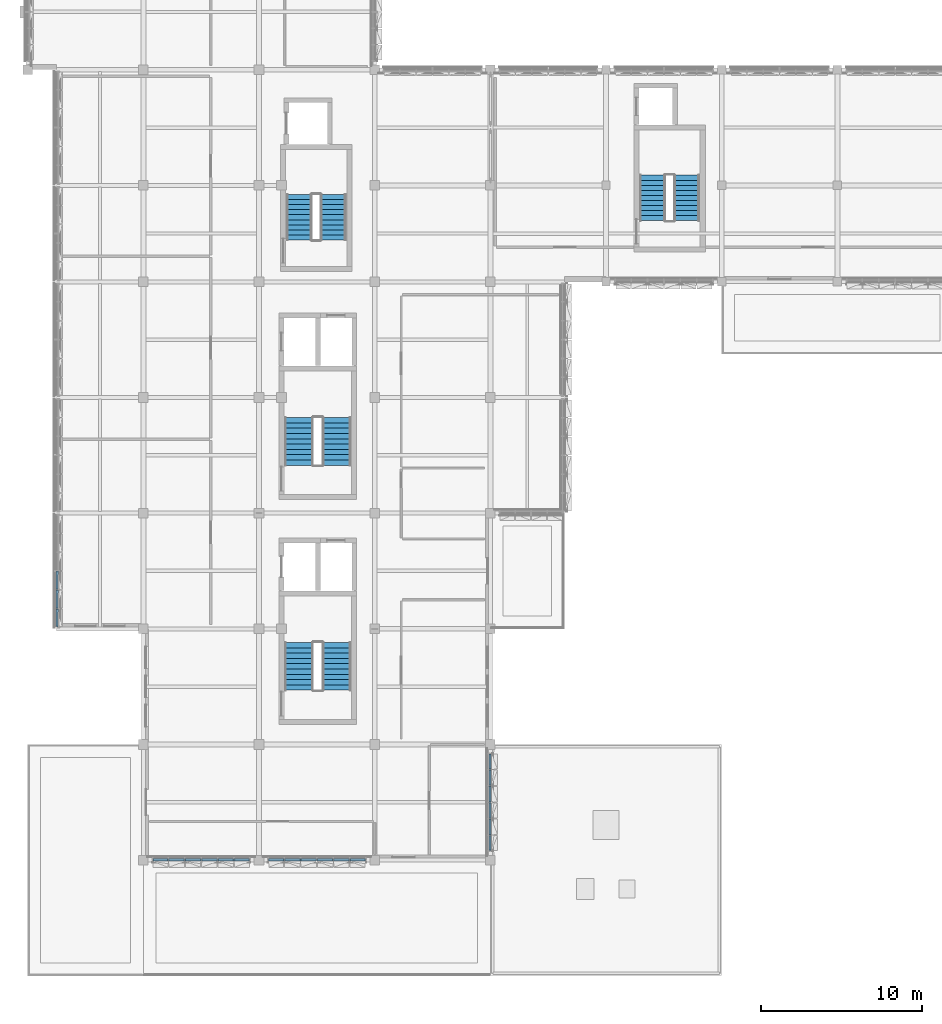
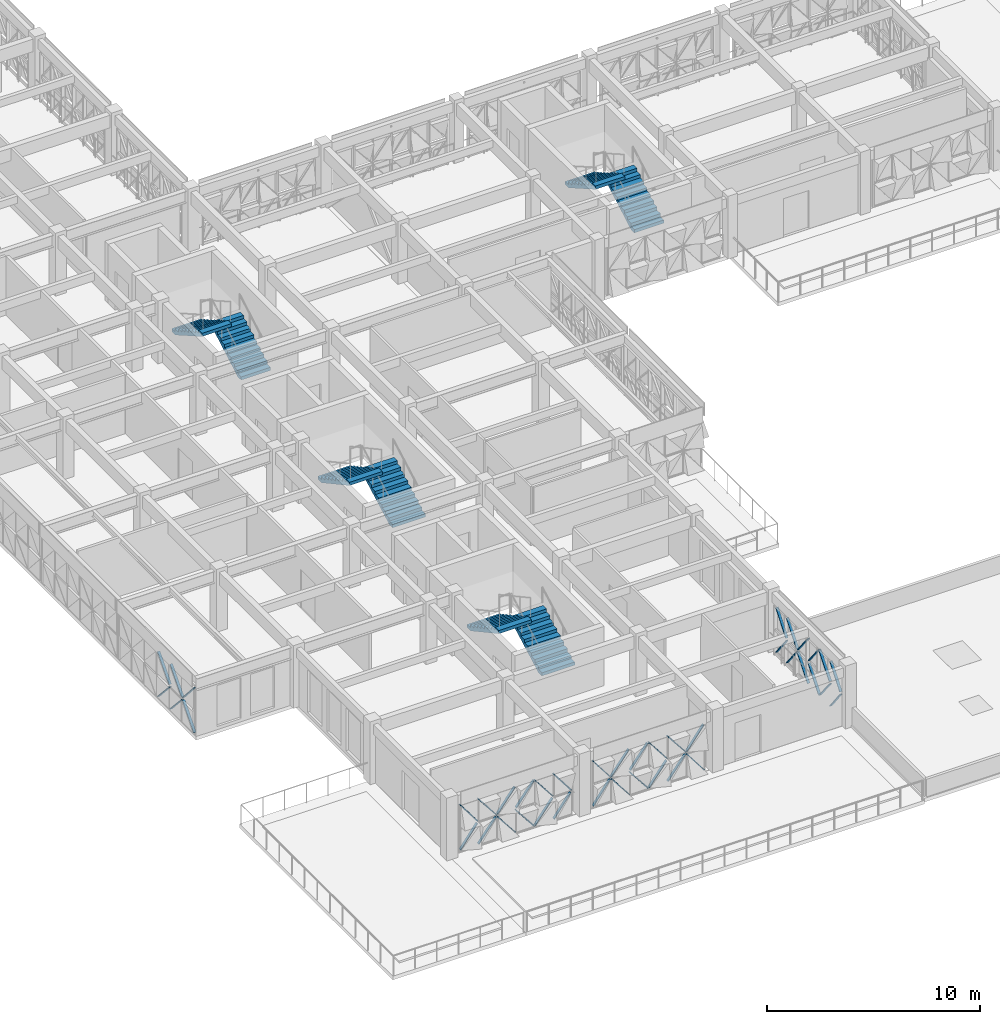
# One storey, part 44 of 74: 42 discrete accessories, 8 stair flights, 4 elements without a shape of their own.
"""IFC4 building model written with IfcOpenShell, lengths in metres."""

from ifc_helpers import new_model, si_unit, direction, frame, origin, origin_2d, place, context, subcontext, project, spatial, polyline, rectangle, outline, extrude, material, type_object, element, aggregate, save


model = new_model("IFC4")

# Units and contexts
model_context = context("Model", 3, precision=1e-05, world=origin(), true_north=direction((0.0, 1.0)))
body_context = subcontext(model_context, "Body", "Model", "MODEL_VIEW")
ifc_project = project(units=[si_unit("LENGTHUNIT", "METRE"), si_unit("AREAUNIT", "SQUARE_METRE"), si_unit("VOLUMEUNIT", "CUBIC_METRE"), si_unit("PLANEANGLEUNIT", "RADIAN"), si_unit("MASSUNIT", "GRAM", prefix="KILO")], contexts=[model_context])

# Site, building, storey
site_placement = place(None, origin())
site = spatial("IfcSite", under=ifc_project, at=site_placement, CompositionType="ELEMENT")
building_placement = place(site_placement, origin())
building = spatial("IfcBuilding", under=site, at=building_placement, Name="Alvorim Cloister Faculty of Sciences", CompositionType="ELEMENT")
storey_placement = place(building_placement, frame((0.0, 0.0, 15.75)))
storey = spatial("IfcBuildingStorey", under=building, at=storey_placement, Name="L04", CompositionType="ELEMENT", Elevation=15.75)

# Stair, stair flights
ifc_material_1 = material(Name="Concrete C40", Category="concrete")
stair_type_1 = type_object("IfcStairType", Name="STR-ST-01-1780x3600", PredefinedType="HALF_TURN_STAIR", material=ifc_material_1)
stair_1_placement = place(storey_placement, origin())
stair_1 = element("IfcStair", 1, at=stair_1_placement, inside=storey, type_object=stair_type_1, Name="L04 Enclosed Smoke-Proof Stair ST-01", PredefinedType="HALF_TURN_STAIR")
stair_flight_type_1 = type_object("IfcStairFlightType", Name="FLT-ST-01-1780x1800", PredefinedType="STRAIGHT", material=ifc_material_1)
stair_flight_1_placement = place(storey_placement, frame((19.22998046875, 17.780029296875, 0.0), z_axis=(0.0, 0.0, 1.0), x_axis=(0.0, 1.0, 0.0)))
stair_flight_1 = element("IfcStairFlight", 2, at=stair_flight_1_placement, type_object=stair_flight_type_1, Name="ST-01 flight 1", NumberOfRisers=10, NumberOfTreads=9, PredefinedType="STRAIGHT", RiserHeight=0.18, TreadLength=0.33, context=body_context, shape_type="SweptSolid", body=[
    extrude(outline(polyline([(0.333984375, 0.0), (2.969970703125, 1.437744140625), (2.969970703125, 1.800048828125), (2.969970703125, 1.6201171875), (2.639892578125, 1.6201171875), (2.639892578125, 1.43994140625), (2.31005859375, 1.43994140625), (2.31005859375, 1.260009765625), (1.97998046875, 1.260009765625), (1.97998046875, 1.080078125), (1.64990234375, 1.080078125), (1.64990234375, 0.89990234375), (1.320068359375, 0.89990234375), (1.320068359375, 0.719970703125), (0.989990234375, 0.719970703125), (0.989990234375, 0.5400390625), (0.659912109375, 0.5400390625), (0.659912109375, 0.360107421875), (0.330078125, 0.360107421875), (0.330078125, 0.179931640625), (0.0, 0.179931640625), (0.0, 0.0), (0.333984375, 0.0)])), frame((0.0, 0.89013671875, 0.0), z_axis=(0.0, -1.0, 0.0), x_axis=(1.0, 0.0, 0.0)), (0.0, 0.0, 1.0), 1.780029296875),
])
stair_flight_2_placement = place(storey_placement, frame((16.889892578125, 20.75, 1.800048828125), z_axis=(0.0, 0.0, 1.0), x_axis=(0.0, -1.0, 0.0)))
stair_flight_2 = element("IfcStairFlight", 3, at=stair_flight_2_placement, type_object=stair_flight_type_1, Name="ST-01 flight 2", NumberOfRisers=10, NumberOfTreads=9, PredefinedType="STRAIGHT", RiserHeight=0.18, TreadLength=0.33, context=body_context, shape_type="SweptSolid", body=[
    extrude(outline(polyline([(0.333984375, 0.0), (2.969970703125, 1.437744140625), (2.969970703125, 1.800048828125), (2.969970703125, 1.6201171875), (2.639892578125, 1.6201171875), (2.639892578125, 1.43994140625), (2.31005859375, 1.43994140625), (2.31005859375, 1.260009765625), (1.97998046875, 1.260009765625), (1.97998046875, 1.080078125), (1.64990234375, 1.080078125), (1.64990234375, 0.89990234375), (1.320068359375, 0.89990234375), (1.320068359375, 0.719970703125), (0.989990234375, 0.719970703125), (0.989990234375, 0.5400390625), (0.659912109375, 0.5400390625), (0.659912109375, 0.360107421875), (0.330078125, 0.360107421875), (0.330078125, 0.179931640625), (0.0, 0.179931640625), (0.0, 0.0), (0.333984375, 0.0)])), frame((0.0, 0.89013671875, 0.0), z_axis=(0.0, -1.0, 0.0), x_axis=(1.0, 0.0, 0.0)), (0.0, 0.0, 1.0), 1.780029296875),
])
aggregate(stair_1, [stair_flight_1, stair_flight_2])

stair_type_2 = type_object("IfcStairType", Name="STR-ST-02-1780x3600", PredefinedType="HALF_TURN_STAIR", material=ifc_material_1)
stair_2_placement = place(storey_placement, origin())
stair_2 = element("IfcStair", 4, at=stair_2_placement, inside=storey, type_object=stair_type_2, Name="L04 Enclosed Smoke-Proof Stair ST-02", PredefinedType="HALF_TURN_STAIR")
stair_flight_type_2 = type_object("IfcStairFlightType", Name="FLT-ST-02-1780x1800", PredefinedType="STRAIGHT", material=ifc_material_1)
stair_flight_3_placement = place(storey_placement, frame((19.22998046875, 31.780029296875, 0.0), z_axis=(0.0, 0.0, 1.0), x_axis=(0.0, 1.0, 0.0)))
stair_flight_3 = element("IfcStairFlight", 5, at=stair_flight_3_placement, type_object=stair_flight_type_2, Name="ST-02 flight 1", NumberOfRisers=10, NumberOfTreads=9, PredefinedType="STRAIGHT", RiserHeight=0.18, TreadLength=0.33, context=body_context, shape_type="SweptSolid", body=[
    extrude(outline(polyline([(0.333984375, 0.0), (2.969970703125, 1.437744140625), (2.969970703125, 1.800048828125), (2.969970703125, 1.6201171875), (2.639892578125, 1.6201171875), (2.639892578125, 1.43994140625), (2.31005859375, 1.43994140625), (2.31005859375, 1.260009765625), (1.97998046875, 1.260009765625), (1.97998046875, 1.080078125), (1.64990234375, 1.080078125), (1.64990234375, 0.89990234375), (1.320068359375, 0.89990234375), (1.320068359375, 0.719970703125), (0.989990234375, 0.719970703125), (0.989990234375, 0.5400390625), (0.659912109375, 0.5400390625), (0.659912109375, 0.360107421875), (0.330078125, 0.360107421875), (0.330078125, 0.179931640625), (0.0, 0.179931640625), (0.0, 0.0), (0.333984375, 0.0)])), frame((0.0, 0.89013671875, 0.0), z_axis=(0.0, -1.0, 0.0), x_axis=(1.0, 0.0, 0.0)), (0.0, 0.0, 1.0), 1.780029296875),
])
stair_flight_4_placement = place(storey_placement, frame((16.889892578125, 34.75, 1.800048828125), z_axis=(0.0, 0.0, 1.0), x_axis=(0.0, -1.0, 0.0)))
stair_flight_4 = element("IfcStairFlight", 6, at=stair_flight_4_placement, type_object=stair_flight_type_2, Name="ST-02 flight 2", NumberOfRisers=10, NumberOfTreads=9, PredefinedType="STRAIGHT", RiserHeight=0.18, TreadLength=0.33, context=body_context, shape_type="SweptSolid", body=[
    extrude(outline(polyline([(0.333984375, 0.0), (2.969970703125, 1.437744140625), (2.969970703125, 1.800048828125), (2.969970703125, 1.6201171875), (2.639892578125, 1.6201171875), (2.639892578125, 1.43994140625), (2.31005859375, 1.43994140625), (2.31005859375, 1.260009765625), (1.97998046875, 1.260009765625), (1.97998046875, 1.080078125), (1.64990234375, 1.080078125), (1.64990234375, 0.89990234375), (1.320068359375, 0.89990234375), (1.320068359375, 0.719970703125), (0.989990234375, 0.719970703125), (0.989990234375, 0.5400390625), (0.659912109375, 0.5400390625), (0.659912109375, 0.360107421875), (0.330078125, 0.360107421875), (0.330078125, 0.179931640625), (0.0, 0.179931640625), (0.0, 0.0), (0.333984375, 0.0)])), frame((0.0, 0.89013671875, 0.0), z_axis=(0.0, -1.0, 0.0), x_axis=(1.0, 0.0, 0.0)), (0.0, 0.0, 1.0), 1.780029296875),
])
aggregate(stair_2, [stair_flight_3, stair_flight_4])

stair_type_3 = type_object("IfcStairType", Name="STR-ST-03-1600x3600", PredefinedType="HALF_TURN_STAIR", material=ifc_material_1)
stair_3_placement = place(storey_placement, origin())
stair_3 = element("IfcStair", 7, at=stair_3_placement, inside=storey, type_object=stair_type_3, Name="L04 Enclosed Smoke-Proof Stair ST-03", PredefinedType="HALF_TURN_STAIR")
stair_flight_type_3 = type_object("IfcStairFlightType", Name="FLT-ST-03-1600x1800", PredefinedType="STRAIGHT", material=ifc_material_1)
stair_flight_5_placement = place(storey_placement, frame((19.02001953125, 45.800048828125, 0.0), z_axis=(0.0, 0.0, 1.0), x_axis=(0.0, 1.0, 0.0)))
stair_flight_5 = element("IfcStairFlight", 8, at=stair_flight_5_placement, type_object=stair_flight_type_3, Name="ST-03 flight 1", NumberOfRisers=10, NumberOfTreads=9, PredefinedType="STRAIGHT", RiserHeight=0.18, TreadLength=0.315, context=body_context, shape_type="SweptSolid", body=[
    extrude(outline(polyline([(0.322265625, 0.0), (2.8349609375, 1.435791015625), (2.8349609375, 1.800048828125), (2.8349609375, 1.6201171875), (2.52001953125, 1.6201171875), (2.52001953125, 1.43994140625), (2.205078125, 1.43994140625), (2.205078125, 1.260009765625), (1.889892578125, 1.260009765625), (1.889892578125, 1.080078125), (1.574951171875, 1.080078125), (1.574951171875, 0.89990234375), (1.260009765625, 0.89990234375), (1.260009765625, 0.719970703125), (0.945068359375, 0.719970703125), (0.945068359375, 0.5400390625), (0.6298828125, 0.5400390625), (0.6298828125, 0.360107421875), (0.31494140625, 0.360107421875), (0.31494140625, 0.179931640625), (0.0, 0.179931640625), (0.0, 0.0), (0.322265625, 0.0)])), frame((0.0, 0.800048828125, 0.0), z_axis=(0.0, -1.0, 0.0), x_axis=(1.0, 0.0, 0.0)), (0.0, 0.0, 1.0), 1.60009765625),
])
stair_flight_6_placement = place(storey_placement, frame((16.89990234375, 48.635009765625, 1.800048828125), z_axis=(0.0, 0.0, 1.0), x_axis=(0.0, -1.0, 0.0)))
stair_flight_6 = element("IfcStairFlight", 9, at=stair_flight_6_placement, type_object=stair_flight_type_3, Name="ST-03 flight 2", NumberOfRisers=10, NumberOfTreads=9, PredefinedType="STRAIGHT", RiserHeight=0.18, TreadLength=0.315, context=body_context, shape_type="SweptSolid", body=[
    extrude(outline(polyline([(0.322265625, 0.0), (2.8349609375, 1.435791015625), (2.8349609375, 1.800048828125), (2.8349609375, 1.6201171875), (2.52001953125, 1.6201171875), (2.52001953125, 1.43994140625), (2.205078125, 1.43994140625), (2.205078125, 1.260009765625), (1.889892578125, 1.260009765625), (1.889892578125, 1.080078125), (1.574951171875, 1.080078125), (1.574951171875, 0.89990234375), (1.260009765625, 0.89990234375), (1.260009765625, 0.719970703125), (0.945068359375, 0.719970703125), (0.945068359375, 0.5400390625), (0.6298828125, 0.5400390625), (0.6298828125, 0.360107421875), (0.31494140625, 0.360107421875), (0.31494140625, 0.179931640625), (0.0, 0.179931640625), (0.0, 0.0), (0.322265625, 0.0)])), frame((0.0, 0.800048828125, 0.0), z_axis=(0.0, -1.0, 0.0), x_axis=(1.0, 0.0, 0.0)), (0.0, 0.0, 1.0), 1.60009765625),
])
aggregate(stair_3, [stair_flight_5, stair_flight_6])

stair_type_4 = type_object("IfcStairType", Name="STR-ST-04-1600x3600", PredefinedType="HALF_TURN_STAIR", material=ifc_material_1)
stair_4_placement = place(storey_placement, origin())
stair_4 = element("IfcStair", 10, at=stair_4_placement, inside=storey, type_object=stair_type_4, Name="L04 Enclosed Smoke-Proof Stair ST-04", PredefinedType="HALF_TURN_STAIR")
stair_flight_type_4 = type_object("IfcStairFlightType", Name="FLT-ST-04-1600x1800", PredefinedType="STRAIGHT", material=ifc_material_1)
stair_flight_7_placement = place(storey_placement, frame((41.02001953125, 47.0, 0.0), z_axis=(0.0, 0.0, 1.0), x_axis=(0.0, 1.0, 0.0)))
stair_flight_7 = element("IfcStairFlight", 11, at=stair_flight_7_placement, type_object=stair_flight_type_4, Name="ST-04 flight 1", NumberOfRisers=10, NumberOfTreads=9, PredefinedType="STRAIGHT", RiserHeight=0.18, TreadLength=0.315, context=body_context, shape_type="SweptSolid", body=[
    extrude(outline(polyline([(0.322265625, 0.0), (2.8349609375, 1.435791015625), (2.8349609375, 1.800048828125), (2.8349609375, 1.6201171875), (2.52001953125, 1.6201171875), (2.52001953125, 1.43994140625), (2.205078125, 1.43994140625), (2.205078125, 1.260009765625), (1.889892578125, 1.260009765625), (1.889892578125, 1.080078125), (1.574951171875, 1.080078125), (1.574951171875, 0.89990234375), (1.260009765625, 0.89990234375), (1.260009765625, 0.719970703125), (0.945068359375, 0.719970703125), (0.945068359375, 0.5400390625), (0.6298828125, 0.5400390625), (0.6298828125, 0.360107421875), (0.31494140625, 0.360107421875), (0.31494140625, 0.179931640625), (0.0, 0.179931640625), (0.0, 0.0), (0.322265625, 0.0)])), frame((0.0, 0.800048828125, 0.0), z_axis=(0.0, -1.0, 0.0), x_axis=(1.0, 0.0, 0.0)), (0.0, 0.0, 1.0), 1.60009765625),
])
stair_flight_8_placement = place(storey_placement, frame((38.89990234375, 49.8349609375, 1.800048828125), z_axis=(0.0, 0.0, 1.0), x_axis=(0.0, -1.0, 0.0)))
stair_flight_8 = element("IfcStairFlight", 12, at=stair_flight_8_placement, type_object=stair_flight_type_4, Name="ST-04 flight 2", NumberOfRisers=10, NumberOfTreads=9, PredefinedType="STRAIGHT", RiserHeight=0.18, TreadLength=0.315, context=body_context, shape_type="SweptSolid", body=[
    extrude(outline(polyline([(0.322265625, 0.0), (2.8349609375, 1.435791015625), (2.8349609375, 1.800048828125), (2.8349609375, 1.6201171875), (2.52001953125, 1.6201171875), (2.52001953125, 1.43994140625), (2.205078125, 1.43994140625), (2.205078125, 1.260009765625), (1.889892578125, 1.260009765625), (1.889892578125, 1.080078125), (1.574951171875, 1.080078125), (1.574951171875, 0.89990234375), (1.260009765625, 0.89990234375), (1.260009765625, 0.719970703125), (0.945068359375, 0.719970703125), (0.945068359375, 0.5400390625), (0.6298828125, 0.5400390625), (0.6298828125, 0.360107421875), (0.31494140625, 0.360107421875), (0.31494140625, 0.179931640625), (0.0, 0.179931640625), (0.0, 0.0), (0.322265625, 0.0)])), frame((0.0, 0.800048828125, 0.0), z_axis=(0.0, -1.0, 0.0), x_axis=(1.0, 0.0, 0.0)), (0.0, 0.0, 1.0), 1.60009765625),
])
aggregate(stair_4, [stair_flight_7, stair_flight_8])

# Discrete accessories
ifc_material_2 = material(Name="Aluminium Alloy 6063-T6", Category="aluminium")
discrete_accessory_type = type_object("IfcDiscreteAccessoryType", Name="ACC-DIAG-BAR", PredefinedType="BRACKET", material=ifc_material_2)
for number, where, z_axis, x_axis, name in (
    (13, (1.822509765625, 21.7451171875, 0.139892578125), (0.006158308683, 0.661792879469, 0.749661430193), (-0.999956706716, 0.009305089645, 0.0), "Diagonal Cassette Glazing Bracket ACC-01753"),
    (14, (1.822509765625, 21.7451171875, 2.717041015625), (0.006158308683, 0.661792879469, -0.749661430193), (-0.999956706716, 0.009305089645, 0.0), "Diagonal Cassette Glazing Bracket ACC-01754"),
):
    element("IfcDiscreteAccessory", number, at=place(storey_placement, frame(where, z_axis=z_axis, x_axis=x_axis)), inside=storey, type_object=discrete_accessory_type, Name=name, PredefinedType="BRACKET", context=body_context, shape_type="SweptSolid", body=[
        extrude(rectangle(XDim=0.139892578125, YDim=0.044921875, at=origin_2d()), origin(), (0.0, 0.0, 1.0), 1.62548828125),
    ])
for number, where, z_axis, x_axis, name in (
    (15, (1.822509765625, 22.8857421875, 1.3583984375), (0.006076684558, 0.672881655969, -0.73972518611), (-0.999959224486, 0.009030468767, 0.0), "Diagonal Cassette Glazing Bracket ACC-01755"),
    (16, (1.822509765625, 22.8857421875, 1.49853515625), (0.006076684558, 0.672881655969, 0.73972518611), (-0.999959224486, 0.009030468767, 0.0), "Diagonal Cassette Glazing Bracket ACC-01756"),
    (17, (1.822509765625, 24.05908203125, 1.3583984375), (0.006076684558, 0.672881655969, -0.73972518611), (-0.999959224486, 0.009030468767, 0.0), "Diagonal Cassette Glazing Bracket ACC-01757"),
    (18, (1.822509765625, 24.05908203125, 1.49853515625), (0.006076684558, 0.672881655969, 0.73972518611), (-0.999959224486, 0.009030468767, 0.0), "Diagonal Cassette Glazing Bracket ACC-01758"),
):
    element("IfcDiscreteAccessory", number, at=place(storey_placement, frame(where, z_axis=z_axis, x_axis=x_axis)), inside=storey, type_object=discrete_accessory_type, Name=name, PredefinedType="BRACKET", context=body_context, shape_type="SweptSolid", body=[
        extrude(rectangle(XDim=0.139892578125, YDim=0.044921875, at=origin_2d()), origin(), (0.0, 0.0, 1.0), 1.647216796875),
    ])
discrete_accessory_1_placement = place(storey_placement, frame((28.777587890625, 7.804931640625, 1.35498046875), z_axis=(-0.006560793558, 0.604713142785, -0.796416330151), x_axis=(-0.999941150118, -0.010848792579, 0.0)))
element("IfcDiscreteAccessory", 19, at=discrete_accessory_1_placement, inside=storey, type_object=discrete_accessory_type, Name="Diagonal Cassette Glazing Bracket ACC-02190", PredefinedType="BRACKET", context=body_context, shape_type="SweptSolid", body=[
    extrude(rectangle(XDim=0.139892578125, YDim=0.044921875, at=origin_2d()), origin(), (0.0, 0.0, 1.0), 1.525634765625),
])
discrete_accessory_2_placement = place(storey_placement, frame((28.777587890625, 7.804931640625, 1.4951171875), z_axis=(-0.006561629754, 0.604790215644, 0.796357796519), x_axis=(-0.999941150118, -0.010848792579, 0.0)))
element("IfcDiscreteAccessory", 20, at=discrete_accessory_2_placement, inside=storey, type_object=discrete_accessory_type, Name="Diagonal Cassette Glazing Bracket ACC-02191", PredefinedType="BRACKET", context=body_context, shape_type="SweptSolid", body=[
    extrude(rectangle(XDim=0.139892578125, YDim=0.044921875, at=origin_2d()), origin(), (0.0, 0.0, 1.0), 1.525390625),
])
discrete_accessory_3_placement = place(storey_placement, frame((28.777587890625, 8.79248046875, 1.35498046875), z_axis=(-0.006476523147, 0.617955086572, -0.786186724404), x_axis=(-0.999945083323, -0.010479997039, 0.0)))
element("IfcDiscreteAccessory", 21, at=discrete_accessory_3_placement, inside=storey, type_object=discrete_accessory_type, Name="Diagonal Cassette Glazing Bracket ACC-02192", PredefinedType="BRACKET", context=body_context, shape_type="SweptSolid", body=[
    extrude(rectangle(XDim=0.139892578125, YDim=0.044921875, at=origin_2d()), origin(), (0.0, 0.0, 1.0), 1.545654296875),
])
discrete_accessory_4_placement = place(storey_placement, frame((28.777587890625, 8.79248046875, 1.4951171875), z_axis=(-0.00647732753, 0.618031836495, 0.786126385072), x_axis=(-0.999945083323, -0.010479997039, 0.0)))
element("IfcDiscreteAccessory", 22, at=discrete_accessory_4_placement, inside=storey, type_object=discrete_accessory_type, Name="Diagonal Cassette Glazing Bracket ACC-02193", PredefinedType="BRACKET", context=body_context, shape_type="SweptSolid", body=[
    extrude(rectangle(XDim=0.139892578125, YDim=0.044921875, at=origin_2d()), origin(), (0.0, 0.0, 1.0), 1.54541015625),
])
discrete_accessory_5_placement = place(storey_placement, frame((28.777587890625, 9.8125, 0.139892578125), z_axis=(-0.006476523147, 0.617955086572, 0.786186724404), x_axis=(-0.999945083323, -0.010479997039, 0.0)))
element("IfcDiscreteAccessory", 23, at=discrete_accessory_5_placement, inside=storey, type_object=discrete_accessory_type, Name="Diagonal Cassette Glazing Bracket ACC-02194", PredefinedType="BRACKET", context=body_context, shape_type="SweptSolid", body=[
    extrude(rectangle(XDim=0.139892578125, YDim=0.044921875, at=origin_2d()), origin(), (0.0, 0.0, 1.0), 1.545654296875),
])
discrete_accessory_6_placement = place(storey_placement, frame((28.777587890625, 9.8125, 2.7099609375), z_axis=(-0.00647732753, 0.618031836495, -0.786126385072), x_axis=(-0.999945083323, -0.010479997039, 0.0)))
element("IfcDiscreteAccessory", 24, at=discrete_accessory_6_placement, inside=storey, type_object=discrete_accessory_type, Name="Diagonal Cassette Glazing Bracket ACC-02195", PredefinedType="BRACKET", context=body_context, shape_type="SweptSolid", body=[
    extrude(rectangle(XDim=0.139892578125, YDim=0.044921875, at=origin_2d()), origin(), (0.0, 0.0, 1.0), 1.54541015625),
])
discrete_accessory_7_placement = place(storey_placement, frame((28.777587890625, 10.83251953125, 0.139892578125), z_axis=(-0.006476523147, 0.617955086572, 0.786186724404), x_axis=(-0.999945083323, -0.010479997039, 0.0)))
element("IfcDiscreteAccessory", 25, at=discrete_accessory_7_placement, inside=storey, type_object=discrete_accessory_type, Name="Diagonal Cassette Glazing Bracket ACC-02196", PredefinedType="BRACKET", context=body_context, shape_type="SweptSolid", body=[
    extrude(rectangle(XDim=0.139892578125, YDim=0.044921875, at=origin_2d()), origin(), (0.0, 0.0, 1.0), 1.545654296875),
])
discrete_accessory_8_placement = place(storey_placement, frame((28.777587890625, 10.83251953125, 2.7099609375), z_axis=(-0.00647732753, 0.618031836495, -0.786126385072), x_axis=(-0.999945083323, -0.010479997039, 0.0)))
element("IfcDiscreteAccessory", 26, at=discrete_accessory_8_placement, inside=storey, type_object=discrete_accessory_type, Name="Diagonal Cassette Glazing Bracket ACC-02197", PredefinedType="BRACKET", context=body_context, shape_type="SweptSolid", body=[
    extrude(rectangle(XDim=0.139892578125, YDim=0.044921875, at=origin_2d()), origin(), (0.0, 0.0, 1.0), 1.54541015625),
])
discrete_accessory_9_placement = place(storey_placement, frame((28.777587890625, 11.8525390625, 1.35498046875), z_axis=(-0.006476523147, 0.617955086572, -0.786186724404), x_axis=(-0.999945083323, -0.010479997039, 0.0)))
element("IfcDiscreteAccessory", 27, at=discrete_accessory_9_placement, inside=storey, type_object=discrete_accessory_type, Name="Diagonal Cassette Glazing Bracket ACC-02198", PredefinedType="BRACKET", context=body_context, shape_type="SweptSolid", body=[
    extrude(rectangle(XDim=0.139892578125, YDim=0.044921875, at=origin_2d()), origin(), (0.0, 0.0, 1.0), 1.545654296875),
])
discrete_accessory_10_placement = place(storey_placement, frame((28.777587890625, 11.8525390625, 1.4951171875), z_axis=(-0.00647732753, 0.618031836495, 0.786126385072), x_axis=(-0.999945083323, -0.010479997039, 0.0)))
element("IfcDiscreteAccessory", 28, at=discrete_accessory_10_placement, inside=storey, type_object=discrete_accessory_type, Name="Diagonal Cassette Glazing Bracket ACC-02199", PredefinedType="BRACKET", context=body_context, shape_type="SweptSolid", body=[
    extrude(rectangle(XDim=0.139892578125, YDim=0.044921875, at=origin_2d()), origin(), (0.0, 0.0, 1.0), 1.54541015625),
])
discrete_accessory_11_placement = place(storey_placement, frame((28.777587890625, 12.87255859375, 1.35498046875), z_axis=(-0.006561428426, 0.604611624251, -0.796493397008), x_axis=(-0.999941118963, -0.010851663811, 0.0)))
element("IfcDiscreteAccessory", 29, at=discrete_accessory_11_placement, inside=storey, type_object=discrete_accessory_type, Name="Diagonal Cassette Glazing Bracket ACC-02200", PredefinedType="BRACKET", context=body_context, shape_type="SweptSolid", body=[
    extrude(rectangle(XDim=0.139892578125, YDim=0.044921875, at=origin_2d()), origin(), (0.0, 0.0, 1.0), 1.525634765625),
])
discrete_accessory_12_placement = place(storey_placement, frame((28.777587890625, 12.87255859375, 1.4951171875), z_axis=(-0.006562264866, 0.604688699088, 0.796434877359), x_axis=(-0.999941118963, -0.010851663811, 0.0)))
element("IfcDiscreteAccessory", 30, at=discrete_accessory_12_placement, inside=storey, type_object=discrete_accessory_type, Name="Diagonal Cassette Glazing Bracket ACC-02201", PredefinedType="BRACKET", context=body_context, shape_type="SweptSolid", body=[
    extrude(rectangle(XDim=0.139892578125, YDim=0.044921875, at=origin_2d()), origin(), (0.0, 0.0, 1.0), 1.525390625),
])
discrete_accessory_13_placement = place(storey_placement, frame((15.0048828125, 7.222412109375, 0.139892578125), z_axis=(0.604713142785, 0.006560793558, 0.796416330151), x_axis=(-0.010848792579, 0.999941150118, 0.0)))
element("IfcDiscreteAccessory", 31, at=discrete_accessory_13_placement, inside=storey, type_object=discrete_accessory_type, Name="Diagonal Cassette Glazing Bracket ACC-02203", PredefinedType="BRACKET", context=body_context, shape_type="SweptSolid", body=[
    extrude(rectangle(XDim=0.139892578125, YDim=0.044921875, at=origin_2d()), origin(), (0.0, 0.0, 1.0), 1.525634765625),
])
discrete_accessory_14_placement = place(storey_placement, frame((15.0048828125, 7.222412109375, 2.7099609375), z_axis=(0.604790215644, 0.006561629754, -0.796357796519), x_axis=(-0.010848792579, 0.999941150118, 0.0)))
element("IfcDiscreteAccessory", 32, at=discrete_accessory_14_placement, inside=storey, type_object=discrete_accessory_type, Name="Diagonal Cassette Glazing Bracket ACC-02204", PredefinedType="BRACKET", context=body_context, shape_type="SweptSolid", body=[
    extrude(rectangle(XDim=0.139892578125, YDim=0.044921875, at=origin_2d()), origin(), (0.0, 0.0, 1.0), 1.525390625),
])
discrete_accessory_15_placement = place(storey_placement, frame((15.992431640625, 7.222412109375, 1.35498046875), z_axis=(0.617955086572, 0.006476523147, -0.786186724404), x_axis=(-0.010479997039, 0.999945083323, 0.0)))
element("IfcDiscreteAccessory", 33, at=discrete_accessory_15_placement, inside=storey, type_object=discrete_accessory_type, Name="Diagonal Cassette Glazing Bracket ACC-02205", PredefinedType="BRACKET", context=body_context, shape_type="SweptSolid", body=[
    extrude(rectangle(XDim=0.139892578125, YDim=0.044921875, at=origin_2d()), origin(), (0.0, 0.0, 1.0), 1.545654296875),
])
discrete_accessory_16_placement = place(storey_placement, frame((15.992431640625, 7.222412109375, 1.4951171875), z_axis=(0.618031836495, 0.00647732753, 0.786126385072), x_axis=(-0.010479997039, 0.999945083323, 0.0)))
element("IfcDiscreteAccessory", 34, at=discrete_accessory_16_placement, inside=storey, type_object=discrete_accessory_type, Name="Diagonal Cassette Glazing Bracket ACC-02206", PredefinedType="BRACKET", context=body_context, shape_type="SweptSolid", body=[
    extrude(rectangle(XDim=0.139892578125, YDim=0.044921875, at=origin_2d()), origin(), (0.0, 0.0, 1.0), 1.54541015625),
])
discrete_accessory_17_placement = place(storey_placement, frame((17.012451171875, 7.222412109375, 1.35498046875), z_axis=(0.617955086572, 0.006476523147, -0.786186724404), x_axis=(-0.010479997039, 0.999945083323, 0.0)))
element("IfcDiscreteAccessory", 35, at=discrete_accessory_17_placement, inside=storey, type_object=discrete_accessory_type, Name="Diagonal Cassette Glazing Bracket ACC-02207", PredefinedType="BRACKET", context=body_context, shape_type="SweptSolid", body=[
    extrude(rectangle(XDim=0.139892578125, YDim=0.044921875, at=origin_2d()), origin(), (0.0, 0.0, 1.0), 1.545654296875),
])
discrete_accessory_18_placement = place(storey_placement, frame((17.012451171875, 7.222412109375, 1.4951171875), z_axis=(0.618031836495, 0.00647732753, 0.786126385072), x_axis=(-0.010479997039, 0.999945083323, 0.0)))
element("IfcDiscreteAccessory", 36, at=discrete_accessory_18_placement, inside=storey, type_object=discrete_accessory_type, Name="Diagonal Cassette Glazing Bracket ACC-02208", PredefinedType="BRACKET", context=body_context, shape_type="SweptSolid", body=[
    extrude(rectangle(XDim=0.139892578125, YDim=0.044921875, at=origin_2d()), origin(), (0.0, 0.0, 1.0), 1.54541015625),
])
discrete_accessory_19_placement = place(storey_placement, frame((18.032470703125, 7.222412109375, 0.139892578125), z_axis=(0.617955086572, 0.006476523147, 0.786186724404), x_axis=(-0.010479997039, 0.999945083323, 0.0)))
element("IfcDiscreteAccessory", 37, at=discrete_accessory_19_placement, inside=storey, type_object=discrete_accessory_type, Name="Diagonal Cassette Glazing Bracket ACC-02209", PredefinedType="BRACKET", context=body_context, shape_type="SweptSolid", body=[
    extrude(rectangle(XDim=0.139892578125, YDim=0.044921875, at=origin_2d()), origin(), (0.0, 0.0, 1.0), 1.545654296875),
])
discrete_accessory_20_placement = place(storey_placement, frame((18.032470703125, 7.222412109375, 2.7099609375), z_axis=(0.618031836495, 0.00647732753, -0.786126385072), x_axis=(-0.010479997039, 0.999945083323, 0.0)))
element("IfcDiscreteAccessory", 38, at=discrete_accessory_20_placement, inside=storey, type_object=discrete_accessory_type, Name="Diagonal Cassette Glazing Bracket ACC-02210", PredefinedType="BRACKET", context=body_context, shape_type="SweptSolid", body=[
    extrude(rectangle(XDim=0.139892578125, YDim=0.044921875, at=origin_2d()), origin(), (0.0, 0.0, 1.0), 1.54541015625),
])
discrete_accessory_21_placement = place(storey_placement, frame((19.052490234375, 7.222412109375, 0.139892578125), z_axis=(0.617955086572, 0.006476523147, 0.786186724404), x_axis=(-0.010479997039, 0.999945083323, 0.0)))
element("IfcDiscreteAccessory", 39, at=discrete_accessory_21_placement, inside=storey, type_object=discrete_accessory_type, Name="Diagonal Cassette Glazing Bracket ACC-02211", PredefinedType="BRACKET", context=body_context, shape_type="SweptSolid", body=[
    extrude(rectangle(XDim=0.139892578125, YDim=0.044921875, at=origin_2d()), origin(), (0.0, 0.0, 1.0), 1.545654296875),
])
discrete_accessory_22_placement = place(storey_placement, frame((19.052490234375, 7.222412109375, 2.7099609375), z_axis=(0.618031836495, 0.00647732753, -0.786126385072), x_axis=(-0.010479997039, 0.999945083323, 0.0)))
element("IfcDiscreteAccessory", 40, at=discrete_accessory_22_placement, inside=storey, type_object=discrete_accessory_type, Name="Diagonal Cassette Glazing Bracket ACC-02212", PredefinedType="BRACKET", context=body_context, shape_type="SweptSolid", body=[
    extrude(rectangle(XDim=0.139892578125, YDim=0.044921875, at=origin_2d()), origin(), (0.0, 0.0, 1.0), 1.54541015625),
])
discrete_accessory_23_placement = place(storey_placement, frame((20.072509765625, 7.222412109375, 1.35498046875), z_axis=(0.604713142785, 0.006560793558, -0.796416330151), x_axis=(-0.010848792579, 0.999941150118, 0.0)))
element("IfcDiscreteAccessory", 41, at=discrete_accessory_23_placement, inside=storey, type_object=discrete_accessory_type, Name="Diagonal Cassette Glazing Bracket ACC-02213", PredefinedType="BRACKET", context=body_context, shape_type="SweptSolid", body=[
    extrude(rectangle(XDim=0.139892578125, YDim=0.044921875, at=origin_2d()), origin(), (0.0, 0.0, 1.0), 1.525634765625),
])
discrete_accessory_24_placement = place(storey_placement, frame((20.072509765625, 7.222412109375, 1.4951171875), z_axis=(0.604790215644, 0.006561629754, 0.796357796519), x_axis=(-0.010848792579, 0.999941150118, 0.0)))
element("IfcDiscreteAccessory", 42, at=discrete_accessory_24_placement, inside=storey, type_object=discrete_accessory_type, Name="Diagonal Cassette Glazing Bracket ACC-02214", PredefinedType="BRACKET", context=body_context, shape_type="SweptSolid", body=[
    extrude(rectangle(XDim=0.139892578125, YDim=0.044921875, at=origin_2d()), origin(), (0.0, 0.0, 1.0), 1.525390625),
])
discrete_accessory_25_placement = place(storey_placement, frame((7.804931640625, 7.222412109375, 0.139892578125), z_axis=(0.604713142785, 0.006560793558, 0.796416330151), x_axis=(-0.010848792579, 0.999941150118, 0.0)))
element("IfcDiscreteAccessory", 43, at=discrete_accessory_25_placement, inside=storey, type_object=discrete_accessory_type, Name="Diagonal Cassette Glazing Bracket ACC-02216", PredefinedType="BRACKET", context=body_context, shape_type="SweptSolid", body=[
    extrude(rectangle(XDim=0.139892578125, YDim=0.044921875, at=origin_2d()), origin(), (0.0, 0.0, 1.0), 1.525634765625),
])
discrete_accessory_26_placement = place(storey_placement, frame((7.804931640625, 7.222412109375, 2.7099609375), z_axis=(0.604790215644, 0.006561629754, -0.796357796519), x_axis=(-0.010848792579, 0.999941150118, 0.0)))
element("IfcDiscreteAccessory", 44, at=discrete_accessory_26_placement, inside=storey, type_object=discrete_accessory_type, Name="Diagonal Cassette Glazing Bracket ACC-02217", PredefinedType="BRACKET", context=body_context, shape_type="SweptSolid", body=[
    extrude(rectangle(XDim=0.139892578125, YDim=0.044921875, at=origin_2d()), origin(), (0.0, 0.0, 1.0), 1.525390625),
])
discrete_accessory_27_placement = place(storey_placement, frame((8.79248046875, 7.222412109375, 0.139892578125), z_axis=(0.617955086572, 0.006476523147, 0.786186724404), x_axis=(-0.010479997039, 0.999945083323, 0.0)))
element("IfcDiscreteAccessory", 45, at=discrete_accessory_27_placement, inside=storey, type_object=discrete_accessory_type, Name="Diagonal Cassette Glazing Bracket ACC-02218", PredefinedType="BRACKET", context=body_context, shape_type="SweptSolid", body=[
    extrude(rectangle(XDim=0.139892578125, YDim=0.044921875, at=origin_2d()), origin(), (0.0, 0.0, 1.0), 1.545654296875),
])
discrete_accessory_28_placement = place(storey_placement, frame((8.79248046875, 7.222412109375, 2.7099609375), z_axis=(0.618031836495, 0.00647732753, -0.786126385072), x_axis=(-0.010479997039, 0.999945083323, 0.0)))
element("IfcDiscreteAccessory", 46, at=discrete_accessory_28_placement, inside=storey, type_object=discrete_accessory_type, Name="Diagonal Cassette Glazing Bracket ACC-02219", PredefinedType="BRACKET", context=body_context, shape_type="SweptSolid", body=[
    extrude(rectangle(XDim=0.139892578125, YDim=0.044921875, at=origin_2d()), origin(), (0.0, 0.0, 1.0), 1.54541015625),
])
discrete_accessory_29_placement = place(storey_placement, frame((9.8125, 7.222412109375, 1.35498046875), z_axis=(0.617955086572, 0.006476523147, -0.786186724404), x_axis=(-0.010479997039, 0.999945083323, 0.0)))
element("IfcDiscreteAccessory", 47, at=discrete_accessory_29_placement, inside=storey, type_object=discrete_accessory_type, Name="Diagonal Cassette Glazing Bracket ACC-02220", PredefinedType="BRACKET", context=body_context, shape_type="SweptSolid", body=[
    extrude(rectangle(XDim=0.139892578125, YDim=0.044921875, at=origin_2d()), origin(), (0.0, 0.0, 1.0), 1.545654296875),
])
discrete_accessory_30_placement = place(storey_placement, frame((9.8125, 7.222412109375, 1.4951171875), z_axis=(0.618031836495, 0.00647732753, 0.786126385072), x_axis=(-0.010479997039, 0.999945083323, 0.0)))
element("IfcDiscreteAccessory", 48, at=discrete_accessory_30_placement, inside=storey, type_object=discrete_accessory_type, Name="Diagonal Cassette Glazing Bracket ACC-02221", PredefinedType="BRACKET", context=body_context, shape_type="SweptSolid", body=[
    extrude(rectangle(XDim=0.139892578125, YDim=0.044921875, at=origin_2d()), origin(), (0.0, 0.0, 1.0), 1.54541015625),
])
discrete_accessory_31_placement = place(storey_placement, frame((10.83251953125, 7.222412109375, 1.35498046875), z_axis=(0.617955086572, 0.006476523147, -0.786186724404), x_axis=(-0.010479997039, 0.999945083323, 0.0)))
element("IfcDiscreteAccessory", 49, at=discrete_accessory_31_placement, inside=storey, type_object=discrete_accessory_type, Name="Diagonal Cassette Glazing Bracket ACC-02222", PredefinedType="BRACKET", context=body_context, shape_type="SweptSolid", body=[
    extrude(rectangle(XDim=0.139892578125, YDim=0.044921875, at=origin_2d()), origin(), (0.0, 0.0, 1.0), 1.545654296875),
])
discrete_accessory_32_placement = place(storey_placement, frame((10.83251953125, 7.222412109375, 1.4951171875), z_axis=(0.618031836495, 0.00647732753, 0.786126385072), x_axis=(-0.010479997039, 0.999945083323, 0.0)))
element("IfcDiscreteAccessory", 50, at=discrete_accessory_32_placement, inside=storey, type_object=discrete_accessory_type, Name="Diagonal Cassette Glazing Bracket ACC-02223", PredefinedType="BRACKET", context=body_context, shape_type="SweptSolid", body=[
    extrude(rectangle(XDim=0.139892578125, YDim=0.044921875, at=origin_2d()), origin(), (0.0, 0.0, 1.0), 1.54541015625),
])
discrete_accessory_33_placement = place(storey_placement, frame((11.8525390625, 7.222412109375, 0.139892578125), z_axis=(0.617955086572, 0.006476523147, 0.786186724404), x_axis=(-0.010479997039, 0.999945083323, 0.0)))
element("IfcDiscreteAccessory", 51, at=discrete_accessory_33_placement, inside=storey, type_object=discrete_accessory_type, Name="Diagonal Cassette Glazing Bracket ACC-02224", PredefinedType="BRACKET", context=body_context, shape_type="SweptSolid", body=[
    extrude(rectangle(XDim=0.139892578125, YDim=0.044921875, at=origin_2d()), origin(), (0.0, 0.0, 1.0), 1.545654296875),
])
discrete_accessory_34_placement = place(storey_placement, frame((11.8525390625, 7.222412109375, 2.7099609375), z_axis=(0.618031836495, 0.00647732753, -0.786126385072), x_axis=(-0.010479997039, 0.999945083323, 0.0)))
element("IfcDiscreteAccessory", 52, at=discrete_accessory_34_placement, inside=storey, type_object=discrete_accessory_type, Name="Diagonal Cassette Glazing Bracket ACC-02225", PredefinedType="BRACKET", context=body_context, shape_type="SweptSolid", body=[
    extrude(rectangle(XDim=0.139892578125, YDim=0.044921875, at=origin_2d()), origin(), (0.0, 0.0, 1.0), 1.54541015625),
])
discrete_accessory_35_placement = place(storey_placement, frame((12.87255859375, 7.222412109375, 0.139892578125), z_axis=(0.604611624251, 0.006561428426, 0.796493397008), x_axis=(-0.010851663811, 0.999941118963, 0.0)))
element("IfcDiscreteAccessory", 53, at=discrete_accessory_35_placement, inside=storey, type_object=discrete_accessory_type, Name="Diagonal Cassette Glazing Bracket ACC-02226", PredefinedType="BRACKET", context=body_context, shape_type="SweptSolid", body=[
    extrude(rectangle(XDim=0.139892578125, YDim=0.044921875, at=origin_2d()), origin(), (0.0, 0.0, 1.0), 1.525634765625),
])
discrete_accessory_36_placement = place(storey_placement, frame((12.87255859375, 7.222412109375, 2.7099609375), z_axis=(0.604688699088, 0.006562264866, -0.796434877359), x_axis=(-0.010851663811, 0.999941118963, 0.0)))
element("IfcDiscreteAccessory", 54, at=discrete_accessory_36_placement, inside=storey, type_object=discrete_accessory_type, Name="Diagonal Cassette Glazing Bracket ACC-02227", PredefinedType="BRACKET", context=body_context, shape_type="SweptSolid", body=[
    extrude(rectangle(XDim=0.139892578125, YDim=0.044921875, at=origin_2d()), origin(), (0.0, 0.0, 1.0), 1.525390625),
])

save(model, "model.ifc")
